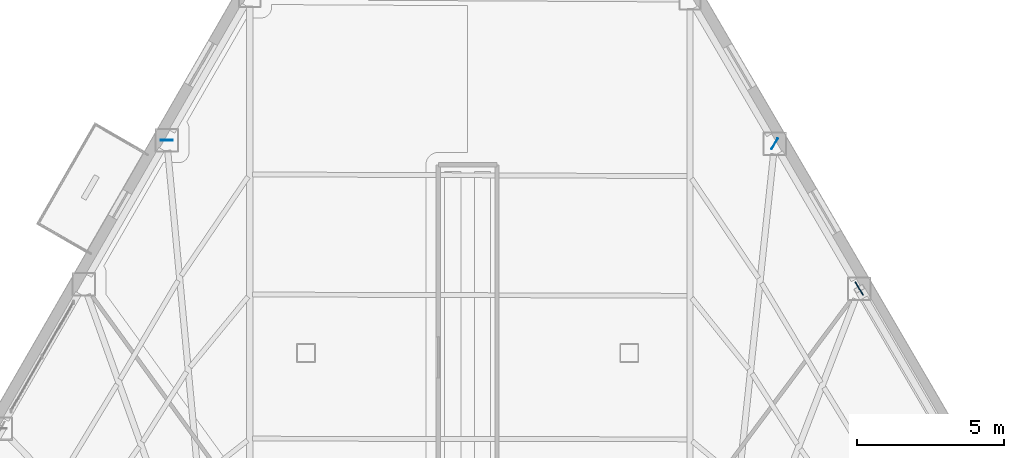
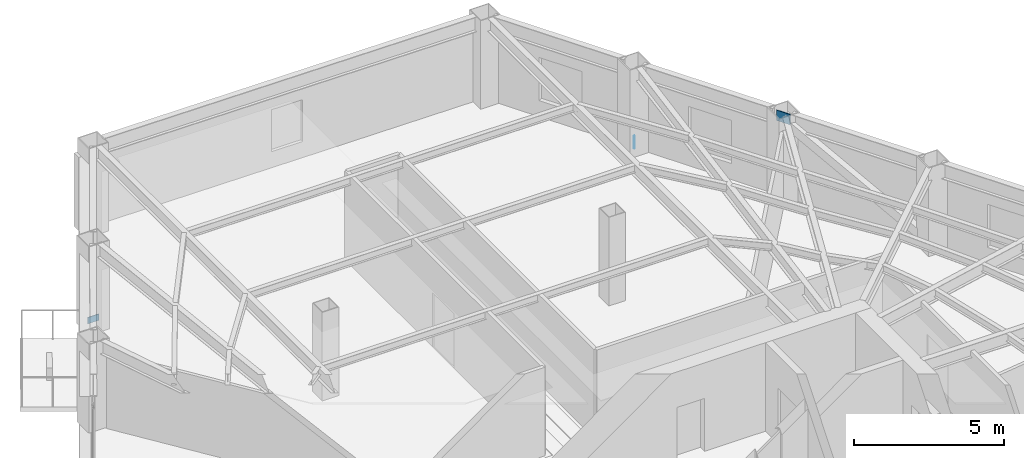
# One storey, part 9 of 16: 3 plates.
"""IFC4 building model written with IfcOpenShell, lengths in metres."""

from ifc_helpers import new_model, si_unit, direction, frame, origin, origin_2d, place, context, subcontext, project, spatial, rectangle, extrude, material, layer, layer_set, type_object, element, save


model = new_model("IFC4")

# Units and contexts
model_context = context("Model", 3, precision=1e-05, world=origin(), true_north=direction((0.0, 1.0)))
body_context = subcontext(model_context, "Body", "Model", "MODEL_VIEW")
ifc_project = project(units=[si_unit("LENGTHUNIT", "METRE"), si_unit("AREAUNIT", "SQUARE_METRE"), si_unit("VOLUMEUNIT", "CUBIC_METRE"), si_unit("PLANEANGLEUNIT", "RADIAN"), si_unit("MASSUNIT", "GRAM", prefix="KILO")], contexts=[model_context])

# Site, building, storey
site_placement = place(None, origin())
site = spatial("IfcSite", under=ifc_project, at=site_placement, CompositionType="ELEMENT")
building_placement = place(site_placement, origin())
building = spatial("IfcBuilding", under=site, at=building_placement, Name="Kavelnor Concourse Tower", CompositionType="ELEMENT")
storey_placement = place(building_placement, frame((0.0, 0.0, 48.35009765625)))
storey = spatial("IfcBuildingStorey", under=building, at=storey_placement, Name="L12", CompositionType="ELEMENT", Elevation=48.35009765625)

# Plates
ifc_material = material(Name="Steel Grade 350", Category="steel")
ifc_layer_1 = layer(ifc_material, 0.031982421875, Name="Steel Grade 350")
ifc_layer_set_1 = layer_set([ifc_layer_1], Name="Steel Grade 350")
plate_type_1 = type_object("IfcPlateType", Name="PL-GUSSET-TUBE-Z1", PredefinedType="USERDEFINED", material=ifc_layer_set_1)
plate_placement = place(storey_placement, frame((51.32373046875, 33.99169921875, 3.073974609375), z_axis=(0.0, 0.0, 1.0), x_axis=(-0.504075481823, 0.863659602288, 0.0)))
element("IfcPlate", 1, at=plate_placement, inside=storey, type_object=plate_type_1, Name="L12 Tube Brace Gusset GP3 F2-B3 End Gusset B", ObjectType="GUSSET_PLATE", PredefinedType="USERDEFINED", context=body_context, shape_type="SweptSolid", body=[
    extrude(rectangle(XDim=0.52001953125, YDim=0.031982421875, at=origin_2d()), origin(), (0.0, 0.0, 1.0), 0.419921875),
])
ifc_layer_2 = layer(ifc_material, 0.02490234375, Name="Steel Grade 350")
ifc_layer_set_2 = layer_set([ifc_layer_2], Name="Steel Grade 350")
plate_type_2 = type_object("IfcPlateType", Name="PL-SPLICE-FLANGE", PredefinedType="SHEET", material=ifc_layer_set_2)
for number, where, z_axis, x_axis, name in (
    (2, (27.7587890625, 39.035888671875, 0.169921875), (0.0, 0.0, 1.0), (1.0, 0.0, 0.0), "L12 Column Flange Splice Plate F0-B1"),
    (3, (48.447509765625, 38.918701171875, 0.169921875), (0.0, 0.0, 1.0), (-0.5, -0.866025403784, 0.0), "L12 Column Flange Splice Plate F2-B5"),
):
    element("IfcPlate", number, at=place(storey_placement, frame(where, z_axis=z_axis, x_axis=x_axis)), inside=storey, type_object=plate_type_2, Name=name, PredefinedType="SHEET", context=body_context, shape_type="SweptSolid", body=[
        extrude(rectangle(XDim=0.419921875, YDim=0.02490234375, at=origin_2d()), origin(), (0.0, 0.0, 1.0), 0.260009765625),
    ])

save(model, "model.ifc")
